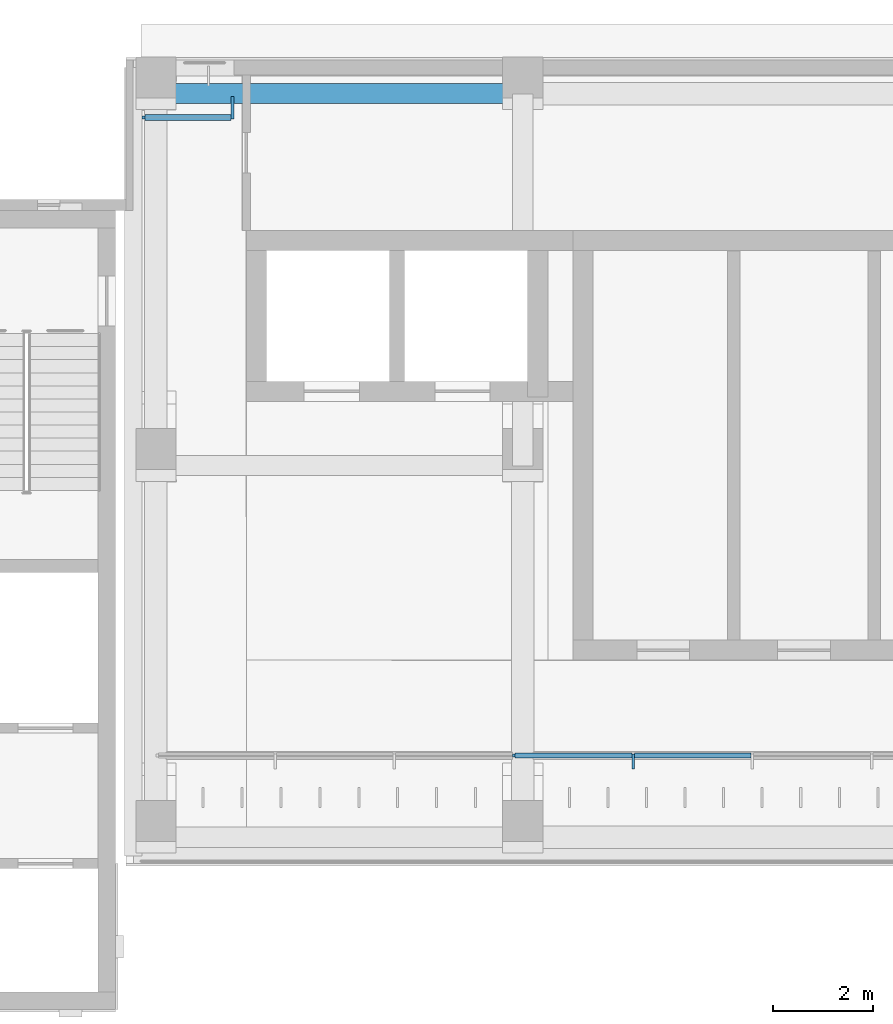
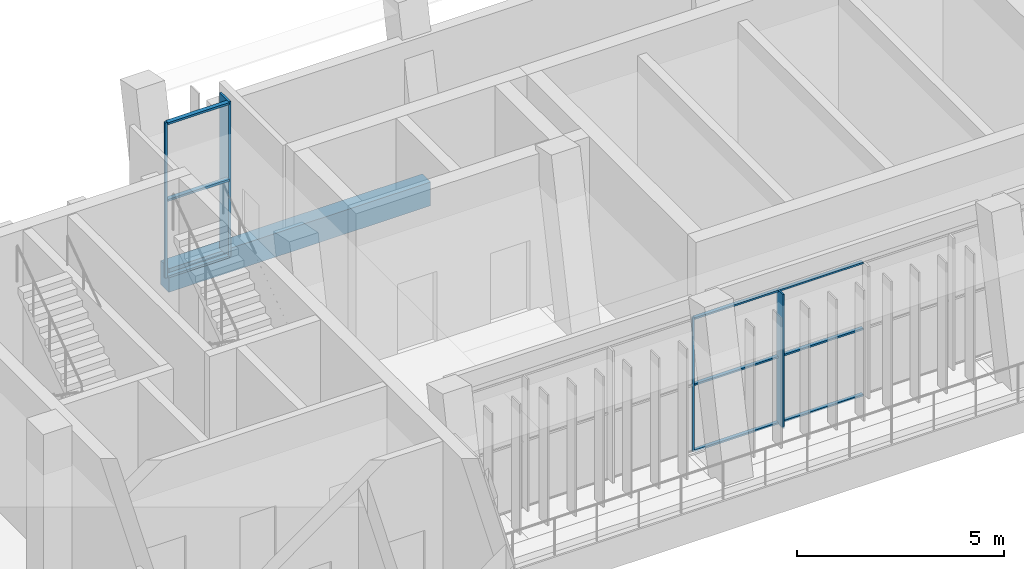
# One storey, part 32 of 89: 13 members, 1 beam, 2 elements without a shape of their own.
"""IFC4 building model written with IfcOpenShell, lengths in metres."""

import ifcopenshell
import ifcopenshell.guid

model = None  # the IFC model being written
_history = None  # IfcOwnerHistory: only IFC2X3 demands one
_inside = {}  # id of a spatial element -> (the spatial element, [elements in it])
_under = {}  # id of a project, library or spatial element -> (it, [spatial elements below it])
_declared = {}  # id of a project -> (the project, [libraries it declares])
_typed = {}  # id of a type object -> (the type object, [elements of that type])
_made_of = {}  # id of a material, layer set ... -> (it, [elements and type objects made of it])


def new_model(schema):
    """Start an empty IFC model of exactly this schema.

    Asked for "IFC4X3", IfcOpenShell would pick the latest addendum, in which some entities
    have other attributes; the version numbers below select the first issue.
    IFC2X3 requires an IfcOwnerHistory on every rooted entity: one is made here for all.
    """
    global model, _history
    if schema == "IFC4X3":
        model = ifcopenshell.file(schema_version=(4, 3, 0, 0))
    else:
        model = ifcopenshell.file(schema=schema)
    _inside.clear()
    _under.clear()
    _declared.clear()
    _typed.clear()
    _made_of.clear()
    _history = None
    if model.schema == "IFC2X3":
        org = make("IfcOrganization", Name="unknown")
        user = make(
            "IfcPersonAndOrganization",
            ThePerson=make("IfcPerson", FamilyName="unknown"),
            TheOrganization=org,
        )
        app = make(
            "IfcApplication",
            ApplicationDeveloper=org,
            Version="unknown",
            ApplicationFullName="unknown",
            ApplicationIdentifier="unknown",
        )
        _history = make(
            "IfcOwnerHistory",
            OwningUser=user,
            OwningApplication=app,
            ChangeAction="ADDED",
            CreationDate=0,
        )
    return model


def make(cls, **values):
    """One entity of the class cls with the attributes given. An attribute that is None is left unset."""
    return model.create_entity(
        cls, **{name: value for name, value in values.items() if value is not None}
    )


def rooted(cls, **values):
    """An entity with a GlobalId (a new one), such as an element, a storey or a relation."""
    return make(cls, GlobalId=ifcopenshell.guid.new(), OwnerHistory=_history, **values)


def si_unit(unit_type, name, prefix=None):
    """IfcSIUnit, for example si_unit("LENGTHUNIT", "METRE", prefix="MILLI")."""
    return make("IfcSIUnit", UnitType=unit_type, Prefix=prefix, Name=name)


def assignment(units):
    """IfcUnitAssignment: the units of a project."""
    return None if units is None else make("IfcUnitAssignment", Units=units)


def point(xyz):
    """IfcCartesianPoint."""
    return None if xyz is None else make("IfcCartesianPoint", Coordinates=xyz)


def direction(xyz):
    """IfcDirection."""
    return None if xyz is None else make("IfcDirection", DirectionRatios=xyz)


def frame(location, z_axis=None, x_axis=None):
    """IfcAxis2Placement3D, a coordinate frame: its origin and axes. An axis left out is left unset."""
    return make(
        "IfcAxis2Placement3D",
        Location=point(location),
        Axis=direction(z_axis),
        RefDirection=direction(x_axis),
    )


def frame_2d(location, x_axis=None):
    """IfcAxis2Placement2D, a coordinate frame in the plane: its origin and x axis."""
    return make(
        "IfcAxis2Placement2D", Location=point(location), RefDirection=direction(x_axis)
    )


def origin():
    """The frame at (0, 0, 0) with its axes left unset."""
    return frame((0.0, 0.0, 0.0))


def origin_2d():
    """The frame at (0, 0) in the plane with its x axis left unset."""
    return frame_2d((0.0, 0.0))


def place(relative_to, where):
    """IfcLocalPlacement: puts the frame where relative to a parent placement (None: the world)."""
    return make(
        "IfcLocalPlacement", PlacementRelTo=relative_to, RelativePlacement=where
    )


def context(
    kind, dimensions, precision=None, world=None, true_north=None, identifier=None
):
    """IfcGeometricRepresentationContext, for example the 3D "Model" context."""
    return make(
        "IfcGeometricRepresentationContext",
        ContextIdentifier=identifier,
        ContextType=kind,
        CoordinateSpaceDimension=dimensions,
        Precision=precision,
        WorldCoordinateSystem=world,
        TrueNorth=true_north,
    )


def subcontext(parent, identifier, kind, view, scale=None):
    """IfcGeometricRepresentationSubContext, for example "Body" below "Model"."""
    return make(
        "IfcGeometricRepresentationSubContext",
        ContextIdentifier=identifier,
        ContextType=kind,
        ParentContext=parent,
        TargetScale=scale,
        TargetView=view,
    )


def project(units=None, contexts=None):
    """IfcProject with its units and contexts."""
    return rooted(
        "IfcProject",
        Name="project",
        RepresentationContexts=contexts,
        UnitsInContext=assignment(units),
    )


def spatial(cls, under=None, at=None, **own):
    """A site, building, storey or space (cls), placed at a placement, below another one or the project."""
    s = rooted(cls, ObjectPlacement=at, **own)
    if under is not None:
        _under.setdefault(under.id(), (under, []))[1].append(s)
    return s


def profile(cls, at=None, kind="AREA", **sizes):
    """A parametric profile (cls). Its sizes go by their IFC names, for example OverallWidth=200.0."""
    return make(cls, ProfileType=kind, Position=at, **sizes)


def rectangle(**sizes):
    """IfcRectangleProfileDef."""
    return profile("IfcRectangleProfileDef", **sizes)


def extrude(swept, where, along, depth):
    """IfcExtrudedAreaSolid: the profile swept, set in the frame where, extruded along a direction by depth."""
    return make(
        "IfcExtrudedAreaSolid",
        SweptArea=swept,
        Position=where,
        ExtrudedDirection=direction(along),
        Depth=depth,
    )


def shape(context_of_items, identifier, shape_type, items):
    """IfcShapeRepresentation: the items that make up one representation, for example the "Body"."""
    return make(
        "IfcShapeRepresentation",
        ContextOfItems=context_of_items,
        RepresentationIdentifier=identifier,
        RepresentationType=shape_type,
        Items=items,
    )


def material(Name=None, Category=None):
    """IfcMaterial."""
    return make("IfcMaterial", Name=Name, Category=Category)


def material_profile(
    of_material, cross_section, Name=None, Category=None, Priority=None
):
    """IfcMaterialProfile: a cross section and its material."""
    return make(
        "IfcMaterialProfile",
        Name=Name,
        Material=of_material,
        Profile=cross_section,
        Priority=Priority,
        Category=Category,
    )


def profile_set(profiles, Name=None, composite=None):
    """IfcMaterialProfileSet."""
    return make(
        "IfcMaterialProfileSet",
        Name=Name,
        MaterialProfiles=profiles,
        CompositeProfile=composite,
    )


def made_of(thing, what):
    """Note that an element or type object is made of a material, layer set ...; save() writes the relation."""
    if what is not None:
        _made_of.setdefault(what.id(), (what, []))[1].append(thing)
    return thing


def type_object(cls, material=None, **own):
    """A type object (cls), such as IfcWallType, which elements share."""
    return made_of(rooted(cls, **own), material)


def element(
    cls,
    number,
    at=None,
    inside=None,
    cuts=None,
    type_object=None,
    material=None,
    context=None,
    identifier="Body",
    shape_type=None,
    held_by="IfcProductDefinitionShape",
    body=None,
    shapes=None,
    **own,
):
    """One element of the class cls, such as IfcWall. Its Tag is "e" and its number.

    at: its placement. inside: the storey or other place that contains it. cuts: it is an
    opening in that element (IfcRelVoidsElement). A single representation is given by context,
    identifier, shape_type and body (its items); several are given by shapes. held_by: the class
    of the entity that holds the representations. save() writes the other relations.
    """
    e = rooted(cls, Tag="e%d" % number, ObjectPlacement=at, **own)
    if body is not None:
        shapes = [shape(context, identifier, shape_type, body)]
    if shapes is not None:
        e.Representation = make(held_by, Representations=shapes)
    if inside is not None:
        _inside.setdefault(inside.id(), (inside, []))[1].append(e)
    if cuts is not None:
        rooted(
            "IfcRelVoidsElement", RelatingBuildingElement=cuts, RelatedOpeningElement=e
        )
    if type_object is not None:
        _typed.setdefault(type_object.id(), (type_object, []))[1].append(e)
    return made_of(e, material)


def aggregate(whole, parts):
    """IfcRelAggregates: a whole, such as a stair, and the parts it consists of."""
    return rooted("IfcRelAggregates", RelatingObject=whole, RelatedObjects=parts)


def save(model, path):
    """Write the relations noted so far, then the file.

    IfcRelAggregates (storeys below a building ...), IfcRelContainedInSpatialStructure (elements
    in a storey), IfcRelDefinesByType, IfcRelAssociatesMaterial and IfcRelDeclares: one each for
    every whole, place, type object, material and project.
    """
    for whole, parts in _under.values():
        aggregate(whole, parts)
    for where, things in _inside.values():
        rooted(
            "IfcRelContainedInSpatialStructure",
            RelatedElements=things,
            RelatingStructure=where,
        )
    for kind, things in _typed.values():
        rooted("IfcRelDefinesByType", RelatedObjects=things, RelatingType=kind)
    for what, things in _made_of.values():
        rooted("IfcRelAssociatesMaterial", RelatedObjects=things, RelatingMaterial=what)
    for by, libraries in _declared.values():
        rooted("IfcRelDeclares", RelatingContext=by, RelatedDefinitions=libraries)
    model.write(path)


model = new_model("IFC4")

# Units and contexts
model_context = context("Model", 3, precision=1e-05, world=origin(), true_north=direction((0.0, 1.0)))
body_context = subcontext(model_context, "Body", "Model", "MODEL_VIEW")
ifc_project = project(units=[si_unit("LENGTHUNIT", "METRE"), si_unit("AREAUNIT", "SQUARE_METRE"), si_unit("VOLUMEUNIT", "CUBIC_METRE"), si_unit("PLANEANGLEUNIT", "RADIAN"), si_unit("MASSUNIT", "GRAM", prefix="KILO")], contexts=[model_context])

# Site, building, storey
site_placement = place(None, origin())
site = spatial("IfcSite", under=ifc_project, at=site_placement, CompositionType="ELEMENT")
building_placement = place(site_placement, origin())
building = spatial("IfcBuilding", under=site, at=building_placement, Name="Lantern Court Media Centre", CompositionType="ELEMENT")
storey_placement = place(building_placement, frame((0.0, 0.0, 14.39990234375)))
storey = spatial("IfcBuildingStorey", under=building, at=storey_placement, Name="L03", CompositionType="ELEMENT", Elevation=14.39990234375)

# Curtain wall, members
ifc_material_1 = material(Name="Curtain wall bay 2400")
curtain_wall_type_1 = type_object("IfcCurtainWallType", Name="Curtain wall bay 2400", PredefinedType="NOTDEFINED", material=ifc_material_1)
curtain_wall_1_placement = place(storey_placement, origin())
curtain_wall_1 = element("IfcCurtainWall", 1, at=curtain_wall_1_placement, inside=storey, type_object=curtain_wall_type_1, Name="Curtain wall N inner L03", PredefinedType="NOTDEFINED")
ifc_material_2 = material(Name="Anodised aluminium", Category="aluminium")
ifc_material_profile_1 = material_profile(ifc_material_2, rectangle(XDim=0.300048828125, YDim=0.050048828125, at=origin_2d()), Name="AL 50x300")
ifc_profile_set_1 = profile_set([ifc_material_profile_1], Name="Anodised aluminium")
member_type_1 = type_object("IfcMemberType", Name="Curtain wall mullion 50x300", PredefinedType="MULLION", material=ifc_profile_set_1)
member_1_placement = place(storey_placement, frame((34.195556640625, 101.030029296875, 0.0), z_axis=(0.0, 0.0, 1.0), x_axis=(0.0, 1.0, 0.0)))
member_1 = element("IfcMember", 2, at=member_1_placement, type_object=member_type_1, Name="CW2 mullion 5", PredefinedType="MULLION", context=body_context, shape_type="SweptSolid", body=[
    extrude(rectangle(XDim=0.300048828125, YDim=0.050048828125, at=origin_2d()), origin(), (0.0, 0.0, 1.0), 3.9501953125),
])
ifc_material_profile_2 = material_profile(ifc_material_2, rectangle(XDim=0.06005859375, YDim=0.050048828125, at=origin_2d()), Name="AL 50x60")
ifc_profile_set_2 = profile_set([ifc_material_profile_2], Name="Anodised aluminium")
member_type_2 = type_object("IfcMemberType", Name="Curtain wall mullion 50x60", PredefinedType="MULLION", material=ifc_profile_set_2)
member_2_placement = place(storey_placement, frame((31.82177734375, 101.14990234375, 0.0), z_axis=(0.0, 0.0, 1.0), x_axis=(0.0, 1.0, 0.0)))
member_2 = element("IfcMember", 3, at=member_2_placement, type_object=member_type_2, Name="CW2 mullion 4", PredefinedType="MULLION", context=body_context, shape_type="SweptSolid", body=[
    extrude(rectangle(XDim=0.06005859375, YDim=0.050048828125, at=origin_2d()), origin(), (0.0, 0.0, 1.0), 3.9501953125),
])

ifc_material_3 = material(Name="Curtain wall bay 3000")
curtain_wall_type_2 = type_object("IfcCurtainWallType", Name="Curtain wall bay 3000", PredefinedType="NOTDEFINED", material=ifc_material_3)
curtain_wall_2_placement = place(storey_placement, origin())
curtain_wall_2 = element("IfcCurtainWall", 4, at=curtain_wall_2_placement, inside=storey, type_object=curtain_wall_type_2, Name="Curtain wall N outer L03", PredefinedType="NOTDEFINED")
ifc_material_profile_3 = material_profile(ifc_material_2, rectangle(XDim=0.449951171875, YDim=0.06005859375, at=origin_2d()), Name="AL 60x450")
ifc_profile_set_3 = profile_set([ifc_material_profile_3], Name="Anodised aluminium")
member_type_3 = type_object("IfcMemberType", Name="Curtain wall mullion 60x450", PredefinedType="MULLION", material=ifc_profile_set_3)
member_3_placement = place(storey_placement, frame((26.219970703125, 114.044921875, 0.0), z_axis=(0.0, 0.0, 1.0), x_axis=(0.0, 1.0, 0.0)))
member_3 = element("IfcMember", 5, at=member_3_placement, type_object=member_type_3, Name="CW1 mullion 2", PredefinedType="MULLION", context=body_context, shape_type="SweptSolid", body=[
    extrude(rectangle(XDim=0.449951171875, YDim=0.06005859375, at=origin_2d()), origin(), (0.0, 0.0, 1.0), 4.580078125),
])
ifc_material_profile_4 = material_profile(ifc_material_2, rectangle(XDim=0.06005859375, YDim=0.06005859375, at=origin_2d()), Name="AL 60x60")
ifc_profile_set_4 = profile_set([ifc_material_profile_4], Name="Anodised aluminium")
member_type_4 = type_object("IfcMemberType", Name="Curtain wall mullion 60x60", PredefinedType="MULLION", material=ifc_profile_set_4)
member_4_placement = place(storey_placement, frame((24.449951171875, 113.85009765625, 0.0), z_axis=(0.0, 0.0, 1.0), x_axis=(0.0, 1.0, 0.0)))
member_4 = element("IfcMember", 6, at=member_4_placement, type_object=member_type_4, Name="CW1 mullion 1", PredefinedType="MULLION", context=body_context, shape_type="SweptSolid", body=[
    extrude(rectangle(XDim=0.06005859375, YDim=0.06005859375, at=origin_2d()), origin(), (0.0, 0.0, 1.0), 4.580078125),
])

# Member
ifc_material_profile_5 = material_profile(ifc_material_2, rectangle(XDim=0.10009765625, YDim=0.050048828125, at=origin_2d()), Name="AL 50x100")
ifc_profile_set_5 = profile_set([ifc_material_profile_5], Name="Anodised aluminium")
member_type_5 = type_object("IfcMemberType", Name="Curtain wall transom 100x50", PredefinedType="USERDEFINED", material=ifc_profile_set_5)
member_5_placement = place(storey_placement, frame((31.8466796875, 101.14990234375, 0.025146484375), z_axis=(1.0, 0.0, 0.0), x_axis=(0.0, 1.0, 0.0)))
member_5 = element("IfcMember", 7, at=member_5_placement, type_object=member_type_5, Name="CW2 transom 4.1", ObjectType="TRANSOM", PredefinedType="USERDEFINED", context=body_context, shape_type="SweptSolid", body=[
    extrude(rectangle(XDim=0.10009765625, YDim=0.050048828125, at=origin_2d()), origin(), (0.0, 0.0, 1.0), 2.323974609375),
])

member_6_placement = place(storey_placement, frame((31.8466796875, 101.14990234375, 1.97509765625), z_axis=(1.0, 0.0, 0.0), x_axis=(0.0, 1.0, 0.0)))
member_6 = element("IfcMember", 8, at=member_6_placement, type_object=member_type_5, Name="CW2 transom 4.2", ObjectType="TRANSOM", PredefinedType="USERDEFINED", context=body_context, shape_type="SweptSolid", body=[
    extrude(rectangle(XDim=0.10009765625, YDim=0.050048828125, at=origin_2d()), origin(), (0.0, 0.0, 1.0), 2.323974609375),
])

member_7_placement = place(storey_placement, frame((31.8466796875, 101.14990234375, 3.925048828125), z_axis=(1.0, 0.0, 0.0), x_axis=(0.0, 1.0, 0.0)))
member_7 = element("IfcMember", 9, at=member_7_placement, type_object=member_type_5, Name="CW2 transom 4.3", ObjectType="TRANSOM", PredefinedType="USERDEFINED", context=body_context, shape_type="SweptSolid", body=[
    extrude(rectangle(XDim=0.10009765625, YDim=0.050048828125, at=origin_2d()), origin(), (0.0, 0.0, 1.0), 2.323974609375),
])

member_8_placement = place(storey_placement, frame((34.220703125, 101.14990234375, 0.025146484375), z_axis=(1.0, 0.0, 0.0), x_axis=(0.0, 1.0, 0.0)))
member_8 = element("IfcMember", 10, at=member_8_placement, type_object=member_type_5, Name="CW2 transom 5.1", ObjectType="TRANSOM", PredefinedType="USERDEFINED", context=body_context, shape_type="SweptSolid", body=[
    extrude(rectangle(XDim=0.10009765625, YDim=0.050048828125, at=origin_2d()), origin(), (0.0, 0.0, 1.0), 2.323974609375),
])

member_9_placement = place(storey_placement, frame((34.220703125, 101.14990234375, 1.97509765625), z_axis=(1.0, 0.0, 0.0), x_axis=(0.0, 1.0, 0.0)))
member_9 = element("IfcMember", 11, at=member_9_placement, type_object=member_type_5, Name="CW2 transom 5.2", ObjectType="TRANSOM", PredefinedType="USERDEFINED", context=body_context, shape_type="SweptSolid", body=[
    extrude(rectangle(XDim=0.10009765625, YDim=0.050048828125, at=origin_2d()), origin(), (0.0, 0.0, 1.0), 2.323974609375),
])

member_10_placement = place(storey_placement, frame((34.220703125, 101.14990234375, 3.925048828125), z_axis=(1.0, 0.0, 0.0), x_axis=(0.0, 1.0, 0.0)))
member_10 = element("IfcMember", 12, at=member_10_placement, type_object=member_type_5, Name="CW2 transom 5.3", ObjectType="TRANSOM", PredefinedType="USERDEFINED", context=body_context, shape_type="SweptSolid", body=[
    extrude(rectangle(XDim=0.10009765625, YDim=0.050048828125, at=origin_2d()), origin(), (0.0, 0.0, 1.0), 2.323974609375),
])

aggregate(curtain_wall_1, [member_2, member_1, member_5, member_6, member_7, member_8, member_9, member_10])

ifc_material_profile_6 = material_profile(ifc_material_2, rectangle(XDim=0.1201171875, YDim=0.06005859375, at=origin_2d()), Name="AL 60x120")
ifc_profile_set_6 = profile_set([ifc_material_profile_6], Name="Anodised aluminium")
member_type_6 = type_object("IfcMemberType", Name="Curtain wall transom 60x120", PredefinedType="USERDEFINED", material=ifc_profile_set_6)
member_11_placement = place(storey_placement, frame((24.47998046875, 113.85009765625, 0.030029296875), z_axis=(1.0, 0.0, 0.0), x_axis=(0.0, 1.0, 0.0)))
member_11 = element("IfcMember", 13, at=member_11_placement, type_object=member_type_6, Name="CW1 transom 1.1", ObjectType="TRANSOM", PredefinedType="USERDEFINED", context=body_context, shape_type="SweptSolid", body=[
    extrude(rectangle(XDim=0.1201171875, YDim=0.06005859375, at=origin_2d()), origin(), (0.0, 0.0, 1.0), 1.7099609375),
])

member_12_placement = place(storey_placement, frame((24.47998046875, 113.85009765625, 2.2900390625), z_axis=(1.0, 0.0, 0.0), x_axis=(0.0, 1.0, 0.0)))
member_12 = element("IfcMember", 14, at=member_12_placement, type_object=member_type_6, Name="CW1 transom 1.2", ObjectType="TRANSOM", PredefinedType="USERDEFINED", context=body_context, shape_type="SweptSolid", body=[
    extrude(rectangle(XDim=0.1201171875, YDim=0.06005859375, at=origin_2d()), origin(), (0.0, 0.0, 1.0), 1.7099609375),
])

member_13_placement = place(storey_placement, frame((24.47998046875, 113.85009765625, 4.550048828125), z_axis=(1.0, 0.0, 0.0), x_axis=(0.0, 1.0, 0.0)))
member_13 = element("IfcMember", 15, at=member_13_placement, type_object=member_type_6, Name="CW1 transom 1.3", ObjectType="TRANSOM", PredefinedType="USERDEFINED", context=body_context, shape_type="SweptSolid", body=[
    extrude(rectangle(XDim=0.1201171875, YDim=0.06005859375, at=origin_2d()), origin(), (0.0, 0.0, 1.0), 1.7099609375),
])

aggregate(curtain_wall_2, [member_4, member_3, member_11, member_12, member_13])

# Beam
ifc_material_4 = material(Name="Concrete C35", Category="concrete")
ifc_material_profile_7 = material_profile(ifc_material_4, rectangle(XDim=0.39990234375, YDim=0.699951171875, at=origin_2d()), Name="RC 400x700")
ifc_profile_set_7 = profile_set([ifc_material_profile_7], Name="Concrete C35")
beam_type = type_object("IfcBeamType", Name="RC BEAM 400x700", PredefinedType="BEAM", material=ifc_profile_set_7)
beam_placement = place(storey_placement, frame((24.699951171875, 114.3271484375, -0.349853515625), z_axis=(1.0, 0.0, 0.0), x_axis=(0.0, 1.0, 0.0)))
element("IfcBeam", 16, at=beam_placement, inside=storey, type_object=beam_type, Name="LB-N-L03-2-0", PredefinedType="BEAM", context=body_context, shape_type="SweptSolid", body=[
    extrude(rectangle(XDim=0.39990234375, YDim=0.699951171875, at=origin_2d()), origin(), (0.0, 0.0, 1.0), 7.300048828125),
])

save(model, "model.ifc")
